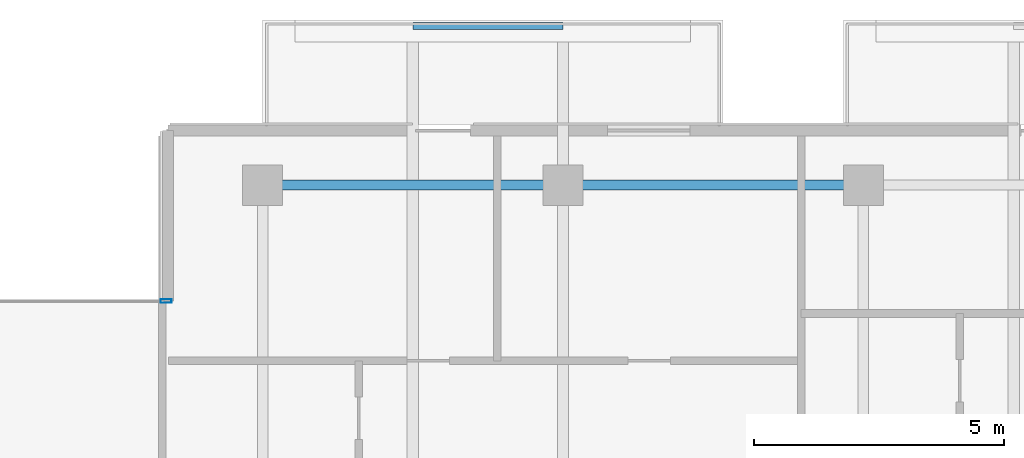
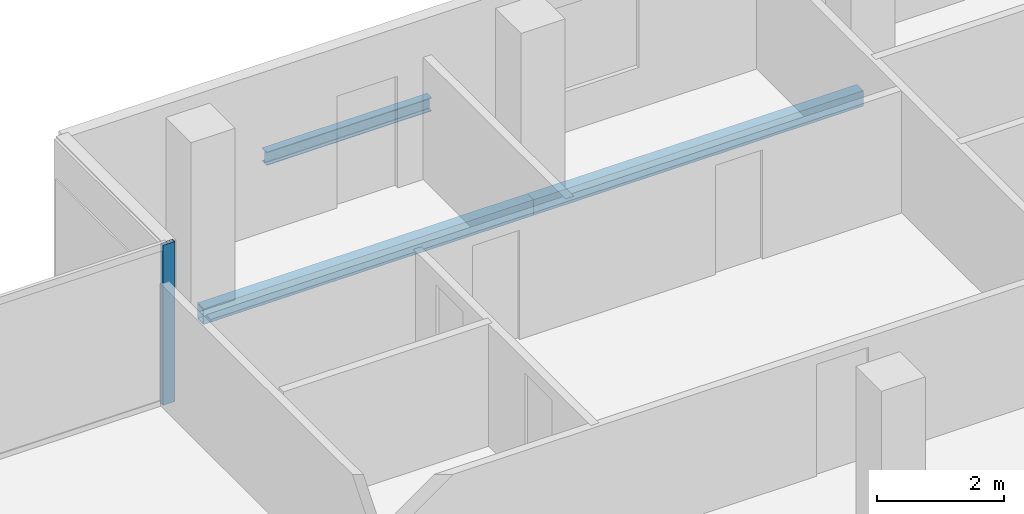
# One storey, part 12 of 29: 3 beams, 1 member, 1 element without a shape of its own.
"""IFC4 building model written with IfcOpenShell, lengths in metres."""

import ifcopenshell
import ifcopenshell.guid

model = None  # the IFC model being written
_history = None  # IfcOwnerHistory: only IFC2X3 demands one
_inside = {}  # id of a spatial element -> (the spatial element, [elements in it])
_under = {}  # id of a project, library or spatial element -> (it, [spatial elements below it])
_declared = {}  # id of a project -> (the project, [libraries it declares])
_typed = {}  # id of a type object -> (the type object, [elements of that type])
_made_of = {}  # id of a material, layer set ... -> (it, [elements and type objects made of it])


def new_model(schema):
    """Start an empty IFC model of exactly this schema.

    Asked for "IFC4X3", IfcOpenShell would pick the latest addendum, in which some entities
    have other attributes; the version numbers below select the first issue.
    IFC2X3 requires an IfcOwnerHistory on every rooted entity: one is made here for all.
    """
    global model, _history
    if schema == "IFC4X3":
        model = ifcopenshell.file(schema_version=(4, 3, 0, 0))
    else:
        model = ifcopenshell.file(schema=schema)
    _inside.clear()
    _under.clear()
    _declared.clear()
    _typed.clear()
    _made_of.clear()
    _history = None
    if model.schema == "IFC2X3":
        org = make("IfcOrganization", Name="unknown")
        user = make(
            "IfcPersonAndOrganization",
            ThePerson=make("IfcPerson", FamilyName="unknown"),
            TheOrganization=org,
        )
        app = make(
            "IfcApplication",
            ApplicationDeveloper=org,
            Version="unknown",
            ApplicationFullName="unknown",
            ApplicationIdentifier="unknown",
        )
        _history = make(
            "IfcOwnerHistory",
            OwningUser=user,
            OwningApplication=app,
            ChangeAction="ADDED",
            CreationDate=0,
        )
    return model


def make(cls, **values):
    """One entity of the class cls with the attributes given. An attribute that is None is left unset."""
    return model.create_entity(
        cls, **{name: value for name, value in values.items() if value is not None}
    )


def rooted(cls, **values):
    """An entity with a GlobalId (a new one), such as an element, a storey or a relation."""
    return make(cls, GlobalId=ifcopenshell.guid.new(), OwnerHistory=_history, **values)


def si_unit(unit_type, name, prefix=None):
    """IfcSIUnit, for example si_unit("LENGTHUNIT", "METRE", prefix="MILLI")."""
    return make("IfcSIUnit", UnitType=unit_type, Prefix=prefix, Name=name)


def assignment(units):
    """IfcUnitAssignment: the units of a project."""
    return None if units is None else make("IfcUnitAssignment", Units=units)


def point(xyz):
    """IfcCartesianPoint."""
    return None if xyz is None else make("IfcCartesianPoint", Coordinates=xyz)


def direction(xyz):
    """IfcDirection."""
    return None if xyz is None else make("IfcDirection", DirectionRatios=xyz)


def frame(location, z_axis=None, x_axis=None):
    """IfcAxis2Placement3D, a coordinate frame: its origin and axes. An axis left out is left unset."""
    return make(
        "IfcAxis2Placement3D",
        Location=point(location),
        Axis=direction(z_axis),
        RefDirection=direction(x_axis),
    )


def frame_2d(location, x_axis=None):
    """IfcAxis2Placement2D, a coordinate frame in the plane: its origin and x axis."""
    return make(
        "IfcAxis2Placement2D", Location=point(location), RefDirection=direction(x_axis)
    )


def origin():
    """The frame at (0, 0, 0) with its axes left unset."""
    return frame((0.0, 0.0, 0.0))


def origin_2d():
    """The frame at (0, 0) in the plane with its x axis left unset."""
    return frame_2d((0.0, 0.0))


def place(relative_to, where):
    """IfcLocalPlacement: puts the frame where relative to a parent placement (None: the world)."""
    return make(
        "IfcLocalPlacement", PlacementRelTo=relative_to, RelativePlacement=where
    )


def context(
    kind, dimensions, precision=None, world=None, true_north=None, identifier=None
):
    """IfcGeometricRepresentationContext, for example the 3D "Model" context."""
    return make(
        "IfcGeometricRepresentationContext",
        ContextIdentifier=identifier,
        ContextType=kind,
        CoordinateSpaceDimension=dimensions,
        Precision=precision,
        WorldCoordinateSystem=world,
        TrueNorth=true_north,
    )


def subcontext(parent, identifier, kind, view, scale=None):
    """IfcGeometricRepresentationSubContext, for example "Body" below "Model"."""
    return make(
        "IfcGeometricRepresentationSubContext",
        ContextIdentifier=identifier,
        ContextType=kind,
        ParentContext=parent,
        TargetScale=scale,
        TargetView=view,
    )


def project(units=None, contexts=None):
    """IfcProject with its units and contexts."""
    return rooted(
        "IfcProject",
        Name="project",
        RepresentationContexts=contexts,
        UnitsInContext=assignment(units),
    )


def spatial(cls, under=None, at=None, **own):
    """A site, building, storey or space (cls), placed at a placement, below another one or the project."""
    s = rooted(cls, ObjectPlacement=at, **own)
    if under is not None:
        _under.setdefault(under.id(), (under, []))[1].append(s)
    return s


def profile(cls, at=None, kind="AREA", **sizes):
    """A parametric profile (cls). Its sizes go by their IFC names, for example OverallWidth=200.0."""
    return make(cls, ProfileType=kind, Position=at, **sizes)


def hollow_rectangle(**sizes):
    """IfcRectangleHollowProfileDef."""
    return profile("IfcRectangleHollowProfileDef", **sizes)


def i_section(**sizes):
    """IfcIShapeProfileDef."""
    return profile("IfcIShapeProfileDef", **sizes)


def extrude(swept, where, along, depth):
    """IfcExtrudedAreaSolid: the profile swept, set in the frame where, extruded along a direction by depth."""
    return make(
        "IfcExtrudedAreaSolid",
        SweptArea=swept,
        Position=where,
        ExtrudedDirection=direction(along),
        Depth=depth,
    )


def shape(context_of_items, identifier, shape_type, items):
    """IfcShapeRepresentation: the items that make up one representation, for example the "Body"."""
    return make(
        "IfcShapeRepresentation",
        ContextOfItems=context_of_items,
        RepresentationIdentifier=identifier,
        RepresentationType=shape_type,
        Items=items,
    )


def material(Name=None, Category=None):
    """IfcMaterial."""
    return make("IfcMaterial", Name=Name, Category=Category)


def layer(
    of_material, thickness, ventilated=None, Name=None, Category=None, Priority=None
):
    """IfcMaterialLayer: one layer of a wall or slab, of a material (None: an air gap)."""
    return make(
        "IfcMaterialLayer",
        Material=of_material,
        LayerThickness=thickness,
        IsVentilated=ventilated,
        Name=Name,
        Category=Category,
        Priority=Priority,
    )


def layer_set(layers, Name=None):
    """IfcMaterialLayerSet."""
    return make("IfcMaterialLayerSet", MaterialLayers=layers, LayerSetName=Name)


def material_profile(
    of_material, cross_section, Name=None, Category=None, Priority=None
):
    """IfcMaterialProfile: a cross section and its material."""
    return make(
        "IfcMaterialProfile",
        Name=Name,
        Material=of_material,
        Profile=cross_section,
        Priority=Priority,
        Category=Category,
    )


def profile_set(profiles, Name=None, composite=None):
    """IfcMaterialProfileSet."""
    return make(
        "IfcMaterialProfileSet",
        Name=Name,
        MaterialProfiles=profiles,
        CompositeProfile=composite,
    )


def made_of(thing, what):
    """Note that an element or type object is made of a material, layer set ...; save() writes the relation."""
    if what is not None:
        _made_of.setdefault(what.id(), (what, []))[1].append(thing)
    return thing


def type_object(cls, material=None, **own):
    """A type object (cls), such as IfcWallType, which elements share."""
    return made_of(rooted(cls, **own), material)


def element(
    cls,
    number,
    at=None,
    inside=None,
    cuts=None,
    type_object=None,
    material=None,
    context=None,
    identifier="Body",
    shape_type=None,
    held_by="IfcProductDefinitionShape",
    body=None,
    shapes=None,
    **own,
):
    """One element of the class cls, such as IfcWall. Its Tag is "e" and its number.

    at: its placement. inside: the storey or other place that contains it. cuts: it is an
    opening in that element (IfcRelVoidsElement). A single representation is given by context,
    identifier, shape_type and body (its items); several are given by shapes. held_by: the class
    of the entity that holds the representations. save() writes the other relations.
    """
    e = rooted(cls, Tag="e%d" % number, ObjectPlacement=at, **own)
    if body is not None:
        shapes = [shape(context, identifier, shape_type, body)]
    if shapes is not None:
        e.Representation = make(held_by, Representations=shapes)
    if inside is not None:
        _inside.setdefault(inside.id(), (inside, []))[1].append(e)
    if cuts is not None:
        rooted(
            "IfcRelVoidsElement", RelatingBuildingElement=cuts, RelatedOpeningElement=e
        )
    if type_object is not None:
        _typed.setdefault(type_object.id(), (type_object, []))[1].append(e)
    return made_of(e, material)


def aggregate(whole, parts):
    """IfcRelAggregates: a whole, such as a stair, and the parts it consists of."""
    return rooted("IfcRelAggregates", RelatingObject=whole, RelatedObjects=parts)


def save(model, path):
    """Write the relations noted so far, then the file.

    IfcRelAggregates (storeys below a building ...), IfcRelContainedInSpatialStructure (elements
    in a storey), IfcRelDefinesByType, IfcRelAssociatesMaterial and IfcRelDeclares: one each for
    every whole, place, type object, material and project.
    """
    for whole, parts in _under.values():
        aggregate(whole, parts)
    for where, things in _inside.values():
        rooted(
            "IfcRelContainedInSpatialStructure",
            RelatedElements=things,
            RelatingStructure=where,
        )
    for kind, things in _typed.values():
        rooted("IfcRelDefinesByType", RelatedObjects=things, RelatingType=kind)
    for what, things in _made_of.values():
        rooted("IfcRelAssociatesMaterial", RelatedObjects=things, RelatingMaterial=what)
    for by, libraries in _declared.values():
        rooted("IfcRelDeclares", RelatingContext=by, RelatedDefinitions=libraries)
    model.write(path)


model = new_model("IFC4")

# Units and contexts
model_context = context("Model", 3, precision=1e-05, world=origin(), true_north=direction((0.0, 1.0)))
body_context = subcontext(model_context, "Body", "Model", "MODEL_VIEW")
ifc_project = project(units=[si_unit("LENGTHUNIT", "METRE"), si_unit("AREAUNIT", "SQUARE_METRE"), si_unit("VOLUMEUNIT", "CUBIC_METRE"), si_unit("PLANEANGLEUNIT", "RADIAN"), si_unit("MASSUNIT", "GRAM", prefix="KILO")], contexts=[model_context])

# Site, building, storey
site_placement = place(None, origin())
site = spatial("IfcSite", under=ifc_project, at=site_placement, CompositionType="ELEMENT")
building_placement = place(site_placement, origin())
building = spatial("IfcBuilding", under=site, at=building_placement, Name="Tanjung Sevakor Pilgrim Tower", CompositionType="ELEMENT")
storey_placement = place(building_placement, frame((0.0, 0.0, 188.429931640625)))
storey = spatial("IfcBuildingStorey", under=building, at=storey_placement, Name="L52", CompositionType="ELEMENT", Elevation=188.429931640625)

# Beams
ifc_material_1 = material(Name="Steel S355J2", Category="steel")
ifc_material_profile_1 = material_profile(ifc_material_1, i_section(OverallWidth=0.146484375, OverallDepth=0.256103515625, WebThickness=0.00634765625, FlangeThickness=0.010986328125, FilletRadius=0.007568359375, at=origin_2d()))
ifc_profile_set_1 = profile_set([ifc_material_profile_1], Name="Steel S355J2")
beam_type_1 = type_object("IfcBeamType", Name="BM-B-J6-UB_254x146x37", PredefinedType="JOIST", material=ifc_profile_set_1)
beam_placement = place(storey_placement, frame((57.0, 57.1298828125, -0.327880859375), z_axis=(1.0, 0.0, 0.0), x_axis=(0.0, 1.0, 0.0)))
element("IfcBeam", 1, at=beam_placement, inside=storey, type_object=beam_type_1, Name="L52 Balcony Rim Tie MAIN-N2", PredefinedType="JOIST", context=body_context, shape_type="SweptSolid", body=[
    extrude(i_section(OverallWidth=0.146484375, OverallDepth=0.256103515625, WebThickness=0.00634765625, FlangeThickness=0.010986328125, FilletRadius=0.007568359375, at=origin_2d()), origin(), (0.0, 0.0, 1.0), 3.0),
])
ifc_material_2 = material(Name="Steel S355J2", Category="steel")
ifc_material_profile_2 = material_profile(ifc_material_2, hollow_rectangle(XDim=0.199951171875, YDim=0.300048828125, WallThickness=0.012451171875, at=origin_2d()))
ifc_profile_set_2 = profile_set([ifc_material_profile_2], Name="Steel S355J2")
beam_type_2 = type_object("IfcBeamType", Name="BM-B-SP3-RHS_300x200x12.5", PredefinedType="SPANDREL", material=ifc_profile_set_2)
for number, where, z_axis, x_axis, name in (
    (2, (54.0, 53.949951171875, -0.369873046875), (1.0, 0.0, 0.0), (0.0, 1.0, 0.0), "L52 Spandrel MAIN N-06"),
    (3, (60.0, 53.949951171875, -0.369873046875), (1.0, 0.0, 0.0), (0.0, 1.0, 0.0), "L52 Spandrel MAIN N-08"),
):
    element("IfcBeam", number, at=place(storey_placement, frame(where, z_axis=z_axis, x_axis=x_axis)), inside=storey, type_object=beam_type_2, Name=name, PredefinedType="SPANDREL", context=body_context, shape_type="SweptSolid", body=[
        extrude(hollow_rectangle(XDim=0.199951171875, YDim=0.300048828125, WallThickness=0.012451171875, at=origin_2d()), origin(), (0.0, 0.0, 1.0), 6.0),
    ])

# Curtain wall, member
ifc_material_3 = material(Name="Aluminium 6063-T6 and Low-E Glass", Category="aluminium")
ifc_layer = layer(ifc_material_3, 0.179931640625)
ifc_layer_set = layer_set([ifc_layer], Name="CW-SYS-CLEFT")
curtain_wall_type = type_object("IfcCurtainWallType", Name="CW-SYS-CLEFT", PredefinedType="NOTDEFINED", material=ifc_layer_set)
curtain_wall_placement = place(storey_placement, origin())
curtain_wall = element("IfcCurtainWall", 4, at=curtain_wall_placement, inside=storey, type_object=curtain_wall_type, Name="L52 Curtain Wall CW-CLF-L52-10", PredefinedType="NOTDEFINED")
ifc_material_4 = material(Name="Aluminium 6063-T6", Category="aluminium")
ifc_material_profile_3 = material_profile(ifc_material_4, hollow_rectangle(XDim=0.074951171875, YDim=0.219970703125, WallThickness=0.0048828125, at=origin_2d()))
ifc_profile_set_3 = profile_set([ifc_material_profile_3], Name="Aluminium 6063-T6")
member_type = type_object("IfcMemberType", Name="TYPE-CWM-2", PredefinedType="MULLION", material=ifc_profile_set_3)
member_placement = place(storey_placement, frame((52.072509765625, 51.639892578125, 0.0), z_axis=(0.0, 0.0, 1.0), x_axis=(0.0, -1.0, 0.0)))
member = element("IfcMember", 5, at=member_placement, type_object=member_type, Name="CW-CLF mullion 1", PredefinedType="MULLION", context=body_context, shape_type="SweptSolid", body=[
    extrude(hollow_rectangle(XDim=0.074951171875, YDim=0.219970703125, WallThickness=0.0048828125, at=origin_2d()), origin(), (0.0, 0.0, 1.0), 3.080078125),
])
aggregate(curtain_wall, [member])

save(model, "model.ifc")
